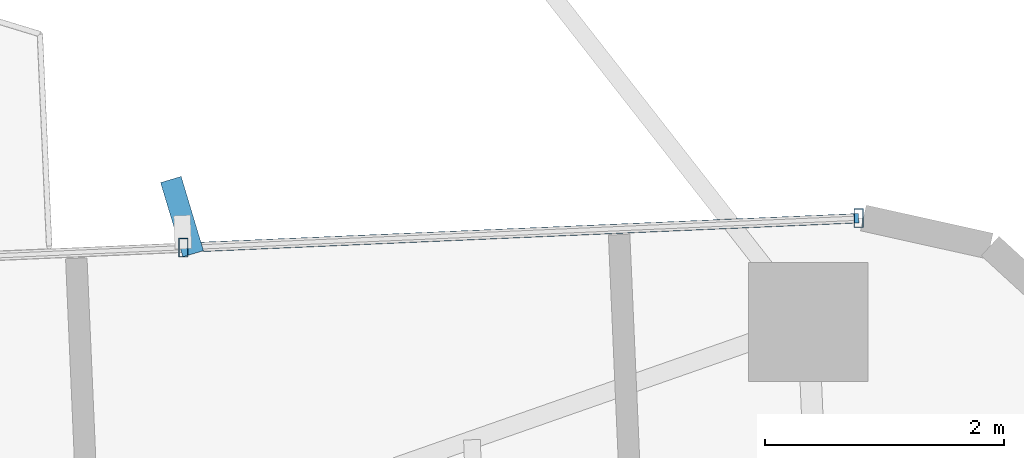
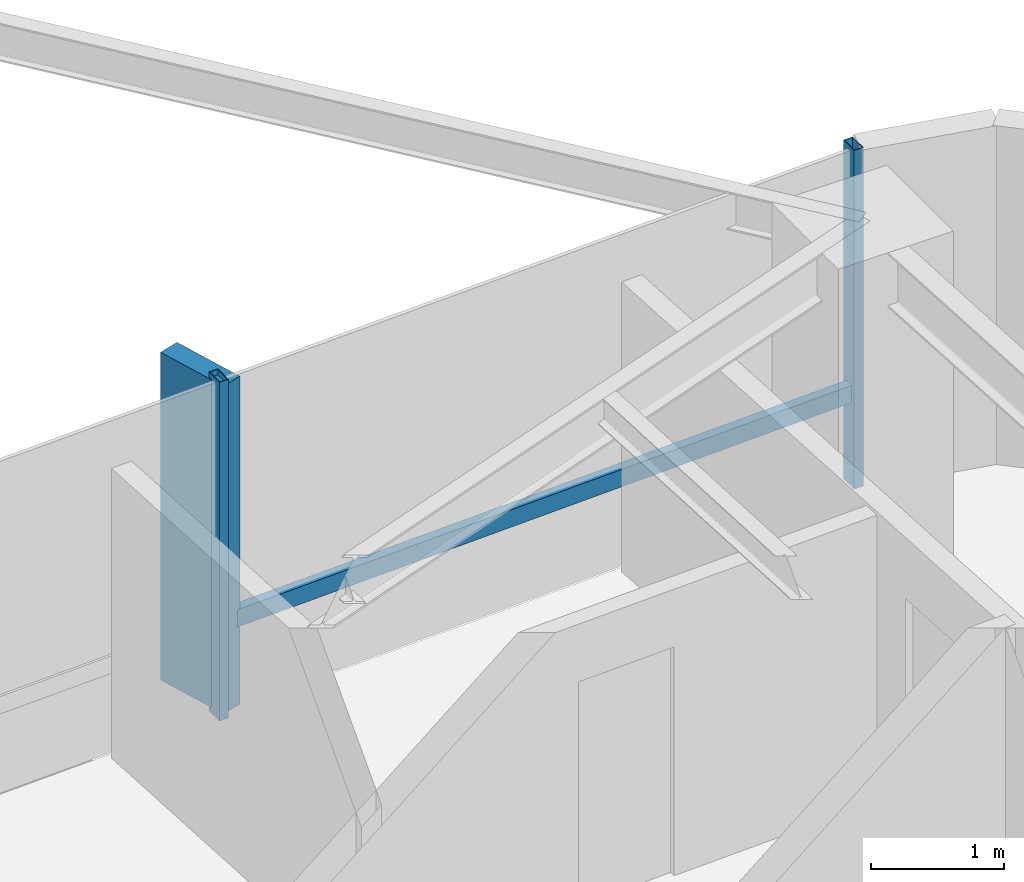
# One storey, part 20 of 26: 4 members, 1 element without a shape of its own.
"""IFC4 building model written with IfcOpenShell, lengths in metres."""

from ifc_helpers import new_model, si_unit, direction, frame, origin, origin_2d, place, context, subcontext, project, spatial, rectangle, hollow_rectangle, extrude, source, transform, mapped, material, material_profile, profile_set, type_object, element, aggregate, save


model = new_model("IFC4")

# Units and contexts
model_context = context("Model", 3, precision=1e-05, world=origin(), true_north=direction((0.0, 1.0)))
body_context = subcontext(model_context, "Body", "Model", "MODEL_VIEW")
ifc_project = project(units=[si_unit("LENGTHUNIT", "METRE"), si_unit("AREAUNIT", "SQUARE_METRE"), si_unit("VOLUMEUNIT", "CUBIC_METRE"), si_unit("PLANEANGLEUNIT", "RADIAN"), si_unit("MASSUNIT", "GRAM", prefix="KILO")], contexts=[model_context])

# Site, building, storey
site_placement = place(None, origin())
site = spatial("IfcSite", under=ifc_project, at=site_placement, CompositionType="ELEMENT")
building_placement = place(site_placement, origin())
building = spatial("IfcBuilding", under=site, at=building_placement, Name="Sahyath Konkavel Grand Hotel", CompositionType="ELEMENT")
storey_placement = place(building_placement, frame((0.0, 0.0, 114.800048828125)))
storey = spatial("IfcBuildingStorey", under=building, at=storey_placement, Name="L31", CompositionType="ELEMENT", Elevation=114.800048828125)

# Curtain wall, members
ifc_material_1 = material(Name="Anodised Bronze Aluminium & Low-E Glazing", Category="aluminium")
curtain_wall_type = type_object("IfcCurtainWallType", Name="CW-ZONE2", PredefinedType="NOTDEFINED", material=ifc_material_1)
curtain_wall_placement = place(storey_placement, origin())
curtain_wall = element("IfcCurtainWall", 1, at=curtain_wall_placement, inside=storey, type_object=curtain_wall_type, Name="L31 Unitised Curtain Wall F7", PredefinedType="NOTDEFINED")
ifc_material_2 = material(Name="Anodised Bronze Aluminium", Category="aluminium")
ifc_material_profile_1 = material_profile(ifc_material_2, hollow_rectangle(XDim=0.080078125, YDim=0.159912109375, WallThickness=0.006103515625, at=origin_2d()), Name="RHS 160x80x6")
ifc_profile_set_1 = profile_set([ifc_material_profile_1], Name="Anodised Bronze Aluminium")
member_type_1 = type_object("IfcMemberType", Name="CW-MUL-160", PredefinedType="MULLION", material=ifc_profile_set_1)
shared_shape_1 = source(origin(), body_context, "Body", "SweptSolid", [
    extrude(hollow_rectangle(XDim=0.080078125, YDim=0.159912109375, WallThickness=0.006103515625, at=origin_2d()), origin(), (0.0, 0.0, 1.0), 3.10986328125),
])
member_1_placement = place(storey_placement, frame((17.655029296875, 7.377197265625, 0.0), z_axis=(0.0, 0.0, 1.0), x_axis=(1.0, 0.0, 0.0)))
member_1 = element("IfcMember", 2, at=member_1_placement, type_object=member_type_1, Name="L31 Curtain Wall Mullion F7-0", PredefinedType="MULLION", context=body_context, shape_type="MappedRepresentation", body=[
    mapped(shared_shape_1, transform((0.0, 0.0, 0.0), scale=1.0)),
])
member_2_placement = place(storey_placement, frame((12.00048828125, 7.13037109375, 0.0), z_axis=(0.0, 0.0, 1.0), x_axis=(1.0, 0.0, 0.0)))
member_2 = element("IfcMember", 3, at=member_2_placement, type_object=member_type_1, Name="L31 Curtain Wall Mullion F7-1", PredefinedType="MULLION", context=body_context, shape_type="MappedRepresentation", body=[
    mapped(shared_shape_1, transform((0.0, 0.0, 0.0), scale=1.0)),
])
ifc_material_3 = material(Name="Warm Buff Sandstone Cladding on Concrete C50/60", Category="masonry")
ifc_material_profile_2 = material_profile(ifc_material_3, rectangle(XDim=0.179931640625, YDim=0.64990234375, at=origin_2d()), Name="FIN 180x650")
ifc_profile_set_2 = profile_set([ifc_material_profile_2], Name="Warm Buff Sandstone Cladding on Concrete C50/60")
member_type_2 = type_object("IfcMemberType", Name="FIN-SANDSTONE-650", PredefinedType="MULLION", material=ifc_profile_set_2)
shared_shape_2 = source(origin(), body_context, "Body", "SweptSolid", [
    extrude(rectangle(XDim=0.179931640625, YDim=0.64990234375, at=origin_2d()), origin(), (0.0, 0.0, 1.0), 3.010009765625),
])
member_3_placement = place(storey_placement, frame((11.989013671875, 7.39013671875, 0.050048828125), z_axis=(0.0, 0.0, 1.0), x_axis=(0.957621645958, 0.288029136015, 0.0)))
member_3 = element("IfcMember", 4, at=member_3_placement, type_object=member_type_2, Name="L31 Sandstone Vertical Solar Fin FIN F7-1", PredefinedType="MULLION", context=body_context, shape_type="MappedRepresentation", body=[
    mapped(shared_shape_2, transform((0.0, 0.0, 0.0), scale=1.0)),
])
ifc_material_profile_3 = material_profile(ifc_material_2, hollow_rectangle(XDim=0.080078125, YDim=0.159912109375, WallThickness=0.006103515625, at=origin_2d()), Name="RHS 160x80x6")
ifc_profile_set_3 = profile_set([ifc_material_profile_3], Name="Anodised Bronze Aluminium")
member_type_3 = type_object("IfcMemberType", Name="CW-TRN-160", PredefinedType="USERDEFINED", material=ifc_profile_set_3)
shared_shape_3 = source(origin(), body_context, "Body", "SweptSolid", [
    extrude(hollow_rectangle(XDim=0.080078125, YDim=0.159912109375, WallThickness=0.006103515625, at=origin_2d()), origin(), (0.0, 0.0, 1.0), 5.659912109375),
])
member_4_placement = place(storey_placement, frame((17.655029296875, 7.377197265625, 0.849853515625), z_axis=(-0.999048655935, -0.043609437898, 0.0), x_axis=(0.043609437898, -0.999048655935, 0.0)))
member_4 = element("IfcMember", 5, at=member_4_placement, type_object=member_type_3, Name="L31 Curtain Wall Transom F7-0-spandrel", ObjectType="TRANSOM", PredefinedType="USERDEFINED", context=body_context, shape_type="MappedRepresentation", body=[
    mapped(shared_shape_3, transform((0.0, 0.0, 0.0), scale=1.0)),
])
aggregate(curtain_wall, [member_1, member_2, member_3, member_4])

save(model, "model.ifc")
